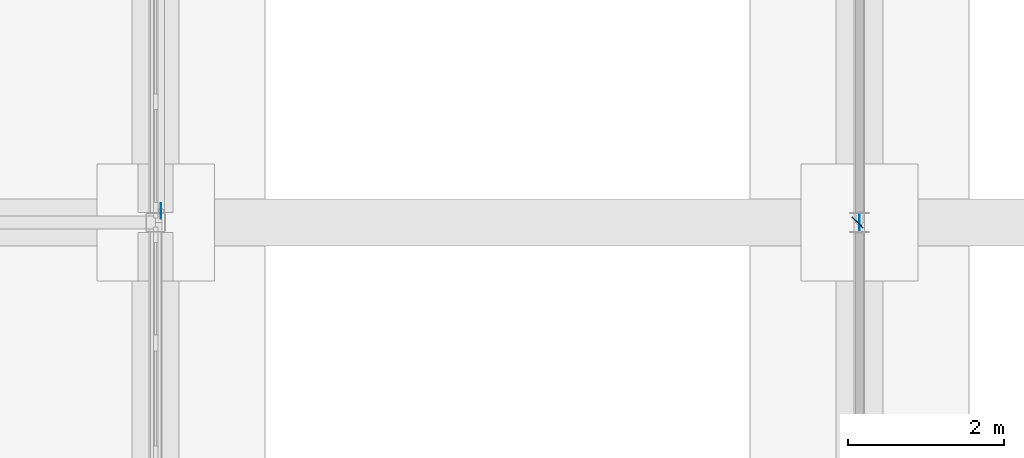
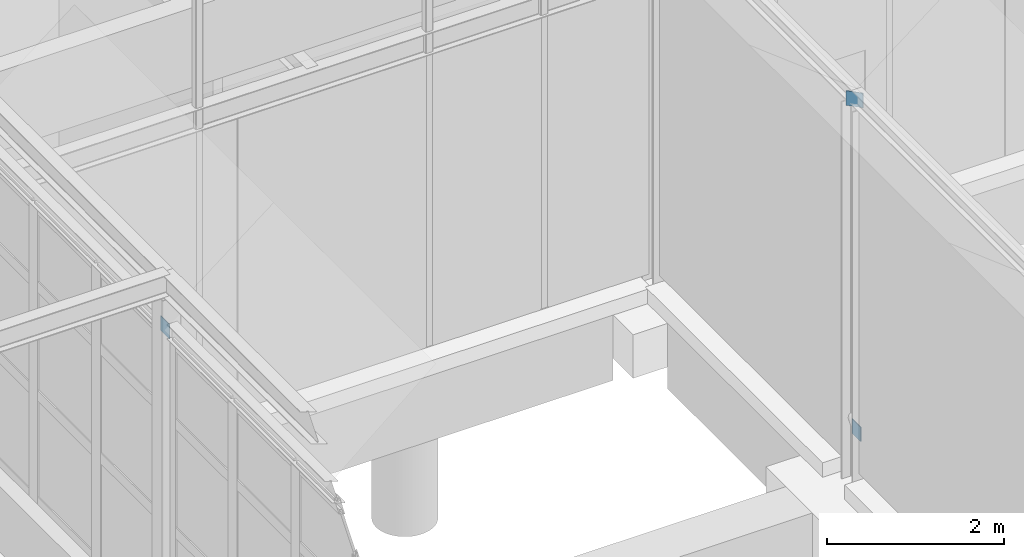
# One storey, part 83 of 106: 3 discrete accessories.
"""IFC4 building model written with IfcOpenShell, lengths in metres."""

from ifc_helpers import new_model, si_unit, direction, frame, origin, origin_2d, place, context, subcontext, project, spatial, rectangle, extrude, material, type_object, element, save


model = new_model("IFC4")

# Units and contexts
model_context = context("Model", 3, precision=1e-05, world=origin(), true_north=direction((0.0, 1.0)))
body_context = subcontext(model_context, "Body", "Model", "MODEL_VIEW")
ifc_project = project(units=[si_unit("LENGTHUNIT", "METRE"), si_unit("AREAUNIT", "SQUARE_METRE"), si_unit("VOLUMEUNIT", "CUBIC_METRE"), si_unit("PLANEANGLEUNIT", "RADIAN"), si_unit("MASSUNIT", "GRAM", prefix="KILO")], contexts=[model_context])

# Site, building, storey
site_placement = place(None, origin())
site = spatial("IfcSite", under=ifc_project, at=site_placement, CompositionType="ELEMENT")
building_placement = place(site_placement, origin())
building = spatial("IfcBuilding", under=site, at=building_placement, Name="Hortulan Conservatory and Botanical Research Centre", CompositionType="ELEMENT")
storey_placement = place(building_placement, origin())
storey = spatial("IfcBuildingStorey", under=building, at=storey_placement, Name="L00", CompositionType="ELEMENT", Elevation=0.0)

# Discrete accessories
ifc_material = material(Name="Steel Grade 300 plate (AS/NZS 3678, 280 MPa minimum yield)", Category="steel")
discrete_accessory_type = type_object("IfcDiscreteAccessoryType", Name="End Plate 200x10", PredefinedType="BRACKET", material=ifc_material)
for number, where, z_axis, x_axis, name in (
    (1, (76.568359375, 27.14501953125, 4.85498046875), (0.0, 0.0, 1.0), (0.0, -1.0, 0.0), "Brace end plate"),
    (2, (85.5, 27.0, 0.39990234375), (0.0, 0.0, 1.0), (0.0, -1.0, 0.0), "Brace end plate"),
    (3, (85.4765625, 27.0, 4.97119140625), (0.0, 0.0, 1.0), (0.707106781187, -0.707106781187, 0.0), "Brace end plate"),
):
    element("IfcDiscreteAccessory", number, at=place(storey_placement, frame(where, z_axis=z_axis, x_axis=x_axis)), inside=storey, type_object=discrete_accessory_type, Name=name, PredefinedType="BRACKET", context=body_context, shape_type="SweptSolid", body=[
        extrude(rectangle(XDim=0.199951171875, YDim=0.010009765625, at=origin_2d()), origin(), (0.0, 0.0, 1.0), 0.199951171875),
    ])

save(model, "model.ifc")
